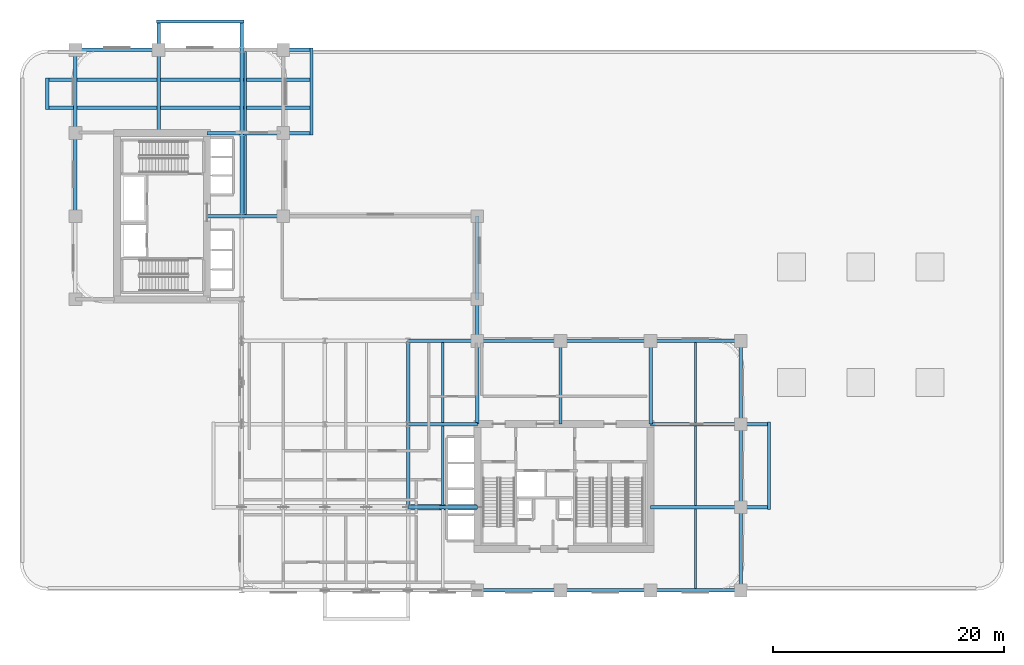
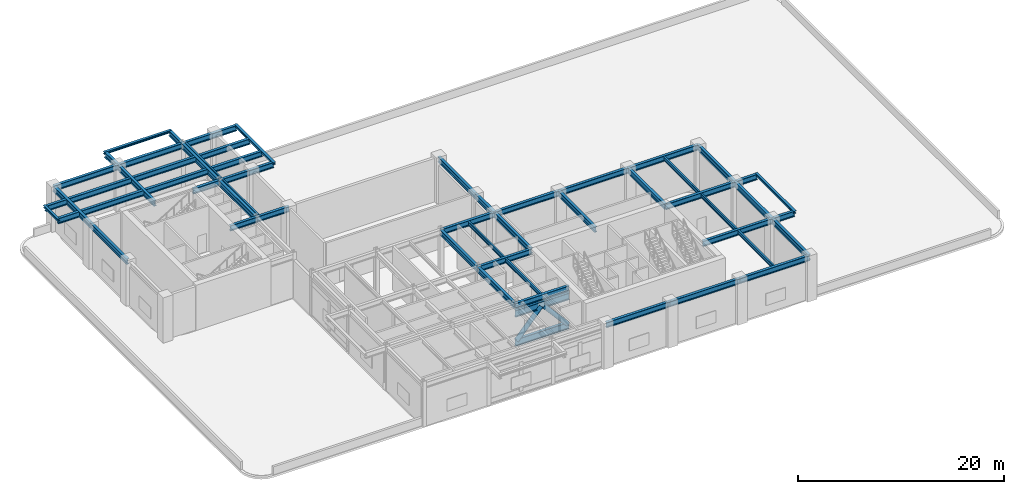
# One storey, part 3 of 14: 43 beams, 4 members.
"""IFC4 building model written with IfcOpenShell, lengths in metres."""

import ifcopenshell
import ifcopenshell.guid

model = None  # the IFC model being written
_history = None  # IfcOwnerHistory: only IFC2X3 demands one
_inside = {}  # id of a spatial element -> (the spatial element, [elements in it])
_under = {}  # id of a project, library or spatial element -> (it, [spatial elements below it])
_declared = {}  # id of a project -> (the project, [libraries it declares])
_typed = {}  # id of a type object -> (the type object, [elements of that type])
_made_of = {}  # id of a material, layer set ... -> (it, [elements and type objects made of it])


def new_model(schema):
    """Start an empty IFC model of exactly this schema.

    Asked for "IFC4X3", IfcOpenShell would pick the latest addendum, in which some entities
    have other attributes; the version numbers below select the first issue.
    IFC2X3 requires an IfcOwnerHistory on every rooted entity: one is made here for all.
    """
    global model, _history
    if schema == "IFC4X3":
        model = ifcopenshell.file(schema_version=(4, 3, 0, 0))
    else:
        model = ifcopenshell.file(schema=schema)
    _inside.clear()
    _under.clear()
    _declared.clear()
    _typed.clear()
    _made_of.clear()
    _history = None
    if model.schema == "IFC2X3":
        org = make("IfcOrganization", Name="unknown")
        user = make(
            "IfcPersonAndOrganization",
            ThePerson=make("IfcPerson", FamilyName="unknown"),
            TheOrganization=org,
        )
        app = make(
            "IfcApplication",
            ApplicationDeveloper=org,
            Version="unknown",
            ApplicationFullName="unknown",
            ApplicationIdentifier="unknown",
        )
        _history = make(
            "IfcOwnerHistory",
            OwningUser=user,
            OwningApplication=app,
            ChangeAction="ADDED",
            CreationDate=0,
        )
    return model


def make(cls, **values):
    """One entity of the class cls with the attributes given. An attribute that is None is left unset."""
    return model.create_entity(
        cls, **{name: value for name, value in values.items() if value is not None}
    )


def rooted(cls, **values):
    """An entity with a GlobalId (a new one), such as an element, a storey or a relation."""
    return make(cls, GlobalId=ifcopenshell.guid.new(), OwnerHistory=_history, **values)


def si_unit(unit_type, name, prefix=None):
    """IfcSIUnit, for example si_unit("LENGTHUNIT", "METRE", prefix="MILLI")."""
    return make("IfcSIUnit", UnitType=unit_type, Prefix=prefix, Name=name)


def derived_unit(unit_type, elements):
    """IfcDerivedUnit: a product of units, each with its exponent."""
    return make(
        "IfcDerivedUnit",
        Elements=[
            make("IfcDerivedUnitElement", Unit=unit, Exponent=power)
            for unit, power in elements
        ],
        UnitType=unit_type,
    )


def assignment(units):
    """IfcUnitAssignment: the units of a project."""
    return None if units is None else make("IfcUnitAssignment", Units=units)


def point(xyz):
    """IfcCartesianPoint."""
    return None if xyz is None else make("IfcCartesianPoint", Coordinates=xyz)


def direction(xyz):
    """IfcDirection."""
    return None if xyz is None else make("IfcDirection", DirectionRatios=xyz)


def frame(location, z_axis=None, x_axis=None):
    """IfcAxis2Placement3D, a coordinate frame: its origin and axes. An axis left out is left unset."""
    return make(
        "IfcAxis2Placement3D",
        Location=point(location),
        Axis=direction(z_axis),
        RefDirection=direction(x_axis),
    )


def frame_2d(location, x_axis=None):
    """IfcAxis2Placement2D, a coordinate frame in the plane: its origin and x axis."""
    return make(
        "IfcAxis2Placement2D", Location=point(location), RefDirection=direction(x_axis)
    )


def origin():
    """The frame at (0, 0, 0) with its axes left unset."""
    return frame((0.0, 0.0, 0.0))


def origin_2d():
    """The frame at (0, 0) in the plane with its x axis left unset."""
    return frame_2d((0.0, 0.0))


def place(relative_to, where):
    """IfcLocalPlacement: puts the frame where relative to a parent placement (None: the world)."""
    return make(
        "IfcLocalPlacement", PlacementRelTo=relative_to, RelativePlacement=where
    )


def context(
    kind, dimensions, precision=None, world=None, true_north=None, identifier=None
):
    """IfcGeometricRepresentationContext, for example the 3D "Model" context."""
    return make(
        "IfcGeometricRepresentationContext",
        ContextIdentifier=identifier,
        ContextType=kind,
        CoordinateSpaceDimension=dimensions,
        Precision=precision,
        WorldCoordinateSystem=world,
        TrueNorth=true_north,
    )


def subcontext(parent, identifier, kind, view, scale=None):
    """IfcGeometricRepresentationSubContext, for example "Body" below "Model"."""
    return make(
        "IfcGeometricRepresentationSubContext",
        ContextIdentifier=identifier,
        ContextType=kind,
        ParentContext=parent,
        TargetScale=scale,
        TargetView=view,
    )


def project(units=None, contexts=None):
    """IfcProject with its units and contexts."""
    return rooted(
        "IfcProject",
        Name="project",
        RepresentationContexts=contexts,
        UnitsInContext=assignment(units),
    )


def spatial(cls, under=None, at=None, **own):
    """A site, building, storey or space (cls), placed at a placement, below another one or the project."""
    s = rooted(cls, ObjectPlacement=at, **own)
    if under is not None:
        _under.setdefault(under.id(), (under, []))[1].append(s)
    return s


def profile(cls, at=None, kind="AREA", **sizes):
    """A parametric profile (cls). Its sizes go by their IFC names, for example OverallWidth=200.0."""
    return make(cls, ProfileType=kind, Position=at, **sizes)


def hollow_circle(**sizes):
    """IfcCircleHollowProfileDef."""
    return profile("IfcCircleHollowProfileDef", **sizes)


def i_section(**sizes):
    """IfcIShapeProfileDef."""
    return profile("IfcIShapeProfileDef", **sizes)


def extrude(swept, where, along, depth):
    """IfcExtrudedAreaSolid: the profile swept, set in the frame where, extruded along a direction by depth."""
    return make(
        "IfcExtrudedAreaSolid",
        SweptArea=swept,
        Position=where,
        ExtrudedDirection=direction(along),
        Depth=depth,
    )


def shape(context_of_items, identifier, shape_type, items):
    """IfcShapeRepresentation: the items that make up one representation, for example the "Body"."""
    return make(
        "IfcShapeRepresentation",
        ContextOfItems=context_of_items,
        RepresentationIdentifier=identifier,
        RepresentationType=shape_type,
        Items=items,
    )


def source(mapping_origin, context_of_items, identifier, shape_type, items):
    """IfcRepresentationMap: a shape defined once, which mapped items show again and again."""
    return make(
        "IfcRepresentationMap",
        MappingOrigin=mapping_origin,
        MappedRepresentation=shape(context_of_items, identifier, shape_type, items),
    )


def transform(
    local_origin,
    x_axis=None,
    y_axis=None,
    z_axis=None,
    scale=None,
    scale2=None,
    scale3=None,
    uniform=True,
):
    """IfcCartesianTransformationOperator3D, or its non-uniform kind. x_axis, y_axis, z_axis: its Axis1, 2, 3."""
    if uniform:
        return make(
            "IfcCartesianTransformationOperator3D",
            Axis1=direction(x_axis),
            Axis2=direction(y_axis),
            LocalOrigin=point(local_origin),
            Scale=scale,
            Axis3=direction(z_axis),
        )
    return make(
        "IfcCartesianTransformationOperator3DnonUniform",
        Axis1=direction(x_axis),
        Axis2=direction(y_axis),
        LocalOrigin=point(local_origin),
        Scale=scale,
        Axis3=direction(z_axis),
        Scale2=scale2,
        Scale3=scale3,
    )


def mapped(mapping_source, mapping_target):
    """IfcMappedItem: shows the shape of a source again, moved by a transform."""
    return make(
        "IfcMappedItem", MappingSource=mapping_source, MappingTarget=mapping_target
    )


def material(Name=None, Category=None):
    """IfcMaterial."""
    return make("IfcMaterial", Name=Name, Category=Category)


def material_profile(
    of_material, cross_section, Name=None, Category=None, Priority=None
):
    """IfcMaterialProfile: a cross section and its material."""
    return make(
        "IfcMaterialProfile",
        Name=Name,
        Material=of_material,
        Profile=cross_section,
        Priority=Priority,
        Category=Category,
    )


def profile_set(profiles, Name=None, composite=None):
    """IfcMaterialProfileSet."""
    return make(
        "IfcMaterialProfileSet",
        Name=Name,
        MaterialProfiles=profiles,
        CompositeProfile=composite,
    )


def made_of(thing, what):
    """Note that an element or type object is made of a material, layer set ...; save() writes the relation."""
    if what is not None:
        _made_of.setdefault(what.id(), (what, []))[1].append(thing)
    return thing


def type_object(cls, material=None, **own):
    """A type object (cls), such as IfcWallType, which elements share."""
    return made_of(rooted(cls, **own), material)


def type_shapes(of_type, sources):
    """Give a type object the sources (RepresentationMaps) that its elements show as mapped items."""
    of_type.RepresentationMaps = sources


def element(
    cls,
    number,
    at=None,
    inside=None,
    cuts=None,
    type_object=None,
    material=None,
    context=None,
    identifier="Body",
    shape_type=None,
    held_by="IfcProductDefinitionShape",
    body=None,
    shapes=None,
    **own,
):
    """One element of the class cls, such as IfcWall. Its Tag is "e" and its number.

    at: its placement. inside: the storey or other place that contains it. cuts: it is an
    opening in that element (IfcRelVoidsElement). A single representation is given by context,
    identifier, shape_type and body (its items); several are given by shapes. held_by: the class
    of the entity that holds the representations. save() writes the other relations.
    """
    e = rooted(cls, Tag="e%d" % number, ObjectPlacement=at, **own)
    if body is not None:
        shapes = [shape(context, identifier, shape_type, body)]
    if shapes is not None:
        e.Representation = make(held_by, Representations=shapes)
    if inside is not None:
        _inside.setdefault(inside.id(), (inside, []))[1].append(e)
    if cuts is not None:
        rooted(
            "IfcRelVoidsElement", RelatingBuildingElement=cuts, RelatedOpeningElement=e
        )
    if type_object is not None:
        _typed.setdefault(type_object.id(), (type_object, []))[1].append(e)
    return made_of(e, material)


def aggregate(whole, parts):
    """IfcRelAggregates: a whole, such as a stair, and the parts it consists of."""
    return rooted("IfcRelAggregates", RelatingObject=whole, RelatedObjects=parts)


def save(model, path):
    """Write the relations noted so far, then the file.

    IfcRelAggregates (storeys below a building ...), IfcRelContainedInSpatialStructure (elements
    in a storey), IfcRelDefinesByType, IfcRelAssociatesMaterial and IfcRelDeclares: one each for
    every whole, place, type object, material and project.
    """
    for whole, parts in _under.values():
        aggregate(whole, parts)
    for where, things in _inside.values():
        rooted(
            "IfcRelContainedInSpatialStructure",
            RelatedElements=things,
            RelatingStructure=where,
        )
    for kind, things in _typed.values():
        rooted("IfcRelDefinesByType", RelatedObjects=things, RelatingType=kind)
    for what, things in _made_of.values():
        rooted("IfcRelAssociatesMaterial", RelatedObjects=things, RelatingMaterial=what)
    for by, libraries in _declared.values():
        rooted("IfcRelDeclares", RelatingContext=by, RelatedDefinitions=libraries)
    model.write(path)


model = new_model("IFC4")

# Units and contexts
model_context = context("Model", 3, precision=1e-05, world=origin(), true_north=direction((0.0, 1.0)))
body_context = subcontext(model_context, "Body", "Model", "MODEL_VIEW")
ifc_project = project(units=[si_unit("LENGTHUNIT", "METRE"), si_unit("AREAUNIT", "SQUARE_METRE"), si_unit("VOLUMEUNIT", "CUBIC_METRE"), si_unit("PLANEANGLEUNIT", "RADIAN"), si_unit("MASSUNIT", "GRAM", prefix="KILO"), si_unit("THERMODYNAMICTEMPERATUREUNIT", "KELVIN"), si_unit("POWERUNIT", "WATT"), derived_unit("THERMALTRANSMITTANCEUNIT", [(si_unit("POWERUNIT", "WATT"), 1), (si_unit("AREAUNIT", "SQUARE_METRE"), -1), (si_unit("THERMODYNAMICTEMPERATUREUNIT", "KELVIN"), -1)])], contexts=[model_context])

# Site, building, storey
site_placement = place(None, origin())
site = spatial("IfcSite", under=ifc_project, at=site_placement, CompositionType="ELEMENT")
building_placement = place(site_placement, origin())
building = spatial("IfcBuilding", under=site, at=building_placement, Name="Zahravan Archway Hotel and Residences", CompositionType="ELEMENT")
storey_placement = place(building_placement, frame((0.0, 0.0, 27.0)))
storey = spatial("IfcBuildingStorey", under=building, at=storey_placement, Name="L05", CompositionType="ELEMENT", Elevation=27.0)

# Beams
ifc_material_1 = material(Name="Structural Steel S355JR", Category="steel")
ifc_material_profile_1 = material_profile(ifc_material_1, i_section(OverallWidth=0.300048828125, OverallDepth=0.64990234375, WebThickness=0.01611328125, FlangeThickness=0.031005859375, FilletRadius=0.027099609375, at=origin_2d()), Name="HEB 650", Category="steel")
ifc_profile_set_1 = profile_set([ifc_material_profile_1], Name="Structural Steel S355JR")
beam_type_1 = type_object("IfcBeamType", Name="BM-PRI-HEB650", PredefinedType="BEAM", material=ifc_profile_set_1)
shared_shape_1 = source(origin(), body_context, "Body", "SweptSolid", [
    extrude(i_section(OverallWidth=0.300048828125, OverallDepth=0.64990234375, WebThickness=0.01611328125, FlangeThickness=0.031005859375, FilletRadius=0.027099609375, at=origin_2d()), origin(), (0.0, 0.0, 1.0), 7.2001953125),
])
type_shapes(beam_type_1, [shared_shape_1])
for number, where, z_axis, x_axis, name in (
    (1, (0.0, 32.39990234375, 4.824951171875), (0.0, 1.0, 0.0), (-1.0, 0.0, 0.0), "L05 Primary Girder NS-29"),
    (2, (14.39990234375, 32.39990234375, 4.824951171875), (0.0, 1.0, 0.0), (-1.0, 0.0, 0.0), "L05 Primary Girder NS-36"),
    (3, (28.800048828125, 14.39990234375, 4.824951171875), (0.0, 1.0, 0.0), (-1.0, 0.0, 0.0), "L05 Primary Girder NS-43"),
    (4, (34.800048828125, 14.39990234375, 4.824951171875), (0.0, 1.0, 0.0), (-1.0, 0.0, 0.0), "L05 Primary Girder NS-44"),
    (5, (42.0, 14.39990234375, 4.824951171875), (0.0, 1.0, 0.0), (-1.0, 0.0, 0.0), "L05 Primary Girder NS-47"),
    (6, (49.800048828125, 14.39990234375, 4.824951171875), (0.0, 1.0, 0.0), (-1.0, 0.0, 0.0), "L05 Primary Girder NS-48"),
    (7, (57.60009765625, 14.39990234375, 4.824951171875), (0.0, 1.0, 0.0), (-1.0, 0.0, 0.0), "L05 Primary Girder NS-51"),
):
    element("IfcBeam", number, at=place(storey_placement, frame(where, z_axis=z_axis, x_axis=x_axis)), inside=storey, type_object=beam_type_1, Name=name, PredefinedType="BEAM", context=body_context, shape_type="MappedRepresentation", body=[
        mapped(shared_shape_1, transform((0.0, 0.0, 0.0), scale=1.0)),
    ])
shared_shape_2 = source(origin(), body_context, "Body", "SweptSolid", [
    extrude(i_section(OverallWidth=0.300048828125, OverallDepth=0.64990234375, WebThickness=0.01611328125, FlangeThickness=0.031005859375, FilletRadius=0.027099609375, at=origin_2d()), origin(), (0.0, 0.0, 1.0), 7.199951171875),
])
for number, where, z_axis, x_axis, name in (
    (8, (34.800048828125, 0.0, 4.824951171875), (1.0, 0.0, 0.0), (0.0, 1.0, 0.0), "L05 Primary Girder EW-04"),
    (9, (34.800048828125, 21.60009765625, 4.824951171875), (1.0, 0.0, 0.0), (0.0, 1.0, 0.0), "L05 Primary Girder EW-18"),
    (10, (0.0, 46.800048828125, 4.824951171875), (1.0, 0.0, 0.0), (0.0, 1.0, 0.0), "L05 Primary Girder EW-24"),
    (11, (0.0, 39.60009765625, 4.824951171875), (0.0, 1.0, 0.0), (-1.0, 0.0, 0.0), "L05 Primary Girder NS-30"),
    (12, (28.800048828125, 7.199951171875, 4.824951171875), (0.0, 1.0, 0.0), (-1.0, 0.0, 0.0), "L05 Primary Girder NS-42"),
    (13, (34.800048828125, 25.199951171875, 4.824951171875), (0.0, 1.0, 0.0), (-1.0, 0.0, 0.0), "L05 Primary Girder NS-46"),
    (14, (57.60009765625, 0.0, 4.824951171875), (0.0, 1.0, 0.0), (-1.0, 0.0, 0.0), "L05 Primary Girder NS-49"),
    (15, (57.60009765625, 7.199951171875, 4.824951171875), (0.0, 1.0, 0.0), (-1.0, 0.0, 0.0), "L05 Primary Girder NS-50"),
):
    element("IfcBeam", number, at=place(storey_placement, frame(where, z_axis=z_axis, x_axis=x_axis)), inside=storey, type_object=beam_type_1, Name=name, PredefinedType="BEAM", context=body_context, shape_type="MappedRepresentation", body=[
        mapped(shared_shape_2, transform((0.0, 0.0, 0.0), scale=1.0)),
    ])
shared_shape_3 = source(origin(), body_context, "Body", "SweptSolid", [
    extrude(i_section(OverallWidth=0.300048828125, OverallDepth=0.64990234375, WebThickness=0.01611328125, FlangeThickness=0.031005859375, FilletRadius=0.027099609375, at=origin_2d()), origin(), (0.0, 0.0, 1.0), 6.0),
])
for number, where, z_axis, x_axis, name in (
    (16, (28.800048828125, 7.199951171875, 4.824951171875), (1.0, 0.0, 0.0), (0.0, 1.0, 0.0), "L05 Primary Girder EW-09"),
    (17, (28.800048828125, 14.39990234375, 4.824951171875), (1.0, 0.0, 0.0), (0.0, 1.0, 0.0), "L05 Primary Girder EW-13"),
    (18, (28.800048828125, 21.60009765625, 4.824951171875), (1.0, 0.0, 0.0), (0.0, 1.0, 0.0), "L05 Primary Girder EW-17"),
):
    element("IfcBeam", number, at=place(storey_placement, frame(where, z_axis=z_axis, x_axis=x_axis)), inside=storey, type_object=beam_type_1, Name=name, PredefinedType="BEAM", context=body_context, shape_type="MappedRepresentation", body=[
        mapped(shared_shape_3, transform((0.0, 0.0, 0.0), scale=1.0)),
    ])
shared_shape_4 = source(origin(), body_context, "Body", "SweptSolid", [
    extrude(i_section(OverallWidth=0.300048828125, OverallDepth=0.64990234375, WebThickness=0.01611328125, FlangeThickness=0.031005859375, FilletRadius=0.027099609375, at=origin_2d()), origin(), (0.0, 0.0, 1.0), 7.800048828125),
])
for number, where, z_axis, x_axis, name in (
    (19, (42.0, 0.0, 4.824951171875), (1.0, 0.0, 0.0), (0.0, 1.0, 0.0), "L05 Primary Girder EW-05"),
    (20, (49.800048828125, 0.0, 4.824951171875), (1.0, 0.0, 0.0), (0.0, 1.0, 0.0), "L05 Primary Girder EW-06"),
    (21, (42.0, 21.60009765625, 4.824951171875), (1.0, 0.0, 0.0), (0.0, 1.0, 0.0), "L05 Primary Girder EW-19"),
    (22, (49.800048828125, 21.60009765625, 4.824951171875), (1.0, 0.0, 0.0), (0.0, 1.0, 0.0), "L05 Primary Girder EW-20"),
):
    element("IfcBeam", number, at=place(storey_placement, frame(where, z_axis=z_axis, x_axis=x_axis)), inside=storey, type_object=beam_type_1, Name=name, PredefinedType="BEAM", context=body_context, shape_type="MappedRepresentation", body=[
        mapped(shared_shape_4, transform((0.0, 0.0, 0.0), scale=1.0)),
    ])
shared_shape_5 = source(origin(), body_context, "Body", "SweptSolid", [
    extrude(i_section(OverallWidth=0.300048828125, OverallDepth=0.64990234375, WebThickness=0.01611328125, FlangeThickness=0.031005859375, FilletRadius=0.027099609375, at=origin_2d()), origin(), (0.0, 0.0, 1.0), 10.25),
])
for number, where, z_axis, x_axis, name in (
    (23, (49.800048828125, 7.199951171875, 4.824951171875), (1.0, 0.0, 0.0), (0.0, 1.0, 0.0), "L05 Primary Girder EW-10"),
    (24, (49.800048828125, 14.39990234375, 4.824951171875), (1.0, 0.0, 0.0), (0.0, 1.0, 0.0), "L05 Primary Girder EW-14"),
):
    element("IfcBeam", number, at=place(storey_placement, frame(where, z_axis=z_axis, x_axis=x_axis)), inside=storey, type_object=beam_type_1, Name=name, PredefinedType="BEAM", context=body_context, shape_type="MappedRepresentation", body=[
        mapped(shared_shape_5, transform((0.0, 0.0, 0.0), scale=1.0)),
    ])
shared_shape_6 = source(origin(), body_context, "Body", "SweptSolid", [
    extrude(i_section(OverallWidth=0.300048828125, OverallDepth=0.64990234375, WebThickness=0.01611328125, FlangeThickness=0.031005859375, FilletRadius=0.027099609375, at=origin_2d()), origin(), (0.0, 0.0, 1.0), 6.60009765625),
])
beam_1_placement = place(storey_placement, frame((11.39990234375, 32.39990234375, 4.824951171875), z_axis=(1.0, 0.0, 0.0), x_axis=(0.0, 1.0, 0.0)))
element("IfcBeam", 25, at=beam_1_placement, inside=storey, type_object=beam_type_1, Name="L05 Primary Girder EW-22", PredefinedType="BEAM", context=body_context, shape_type="MappedRepresentation", body=[
    mapped(shared_shape_6, transform((0.0, 0.0, 0.0), scale=1.0)),
])
shared_shape_7 = source(origin(), body_context, "Body", "SweptSolid", [
    extrude(i_section(OverallWidth=0.300048828125, OverallDepth=0.64990234375, WebThickness=0.01611328125, FlangeThickness=0.031005859375, FilletRadius=0.027099609375, at=origin_2d()), origin(), (0.0, 0.0, 1.0), 9.050048828125),
])
beam_2_placement = place(storey_placement, frame((11.39990234375, 39.60009765625, 4.824951171875), z_axis=(1.0, 0.0, 0.0), x_axis=(0.0, 1.0, 0.0)))
element("IfcBeam", 26, at=beam_2_placement, inside=storey, type_object=beam_type_1, Name="L05 Primary Girder EW-23", PredefinedType="BEAM", context=body_context, shape_type="MappedRepresentation", body=[
    mapped(shared_shape_7, transform((0.0, 0.0, 0.0), scale=1.0)),
])
shared_shape_8 = source(origin(), body_context, "Body", "SweptSolid", [
    extrude(i_section(OverallWidth=0.300048828125, OverallDepth=0.64990234375, WebThickness=0.01611328125, FlangeThickness=0.031005859375, FilletRadius=0.027099609375, at=origin_2d()), origin(), (0.0, 0.0, 1.0), 13.25),
])
beam_3_placement = place(storey_placement, frame((7.199951171875, 46.800048828125, 4.824951171875), z_axis=(1.0, 0.0, 0.0), x_axis=(0.0, 1.0, 0.0)))
element("IfcBeam", 27, at=beam_3_placement, inside=storey, type_object=beam_type_1, Name="L05 Primary Girder EW-25", PredefinedType="BEAM", context=body_context, shape_type="MappedRepresentation", body=[
    mapped(shared_shape_8, transform((0.0, 0.0, 0.0), scale=1.0)),
])
shared_shape_9 = source(origin(), body_context, "Body", "SweptSolid", [
    extrude(i_section(OverallWidth=0.300048828125, OverallDepth=0.64990234375, WebThickness=0.01611328125, FlangeThickness=0.031005859375, FilletRadius=0.027099609375, at=origin_2d()), origin(), (0.0, 0.0, 1.0), 22.89990234375),
])
for number, where, z_axis, x_axis, name in (
    (28, (-2.449951171875, 41.800048828125, 4.824951171875), (1.0, 0.0, 0.0), (0.0, 1.0, 0.0), "L05 Primary Girder EW-26"),
    (29, (-2.449951171875, 44.199951171875, 4.824951171875), (1.0, 0.0, 0.0), (0.0, 1.0, 0.0), "L05 Primary Girder EW-27"),
):
    element("IfcBeam", number, at=place(storey_placement, frame(where, z_axis=z_axis, x_axis=x_axis)), inside=storey, type_object=beam_type_1, Name=name, PredefinedType="BEAM", context=body_context, shape_type="MappedRepresentation", body=[
        mapped(shared_shape_9, transform((0.0, 0.0, 0.0), scale=1.0)),
    ])
ifc_material_profile_2 = material_profile(ifc_material_1, i_section(OverallWidth=0.280029296875, OverallDepth=0.280029296875, WebThickness=0.010498046875, FlangeThickness=0.01806640625, FilletRadius=0.02392578125, at=origin_2d()), Name="HEB 280", Category="steel")
ifc_profile_set_2 = profile_set([ifc_material_profile_2], Name="Structural Steel S355JR")
beam_type_2 = type_object("IfcBeamType", Name="BM-SPN-HEB280", PredefinedType="SPANDREL", material=ifc_profile_set_2)
shared_shape_10 = source(origin(), body_context, "Body", "SweptSolid", [
    extrude(i_section(OverallWidth=0.280029296875, OverallDepth=0.280029296875, WebThickness=0.010498046875, FlangeThickness=0.01806640625, FilletRadius=0.02392578125, at=origin_2d()), origin(), (0.0, 0.0, 1.0), 7.56005859375),
])
type_shapes(beam_type_2, [shared_shape_10])
for number, where, z_axis, x_axis, name in (
    (30, (60.050048828125, 7.02001953125, 5.010009765625), (0.0, 1.0, 0.0), (-1.0, 0.0, 0.0), "L06 EA Balcony Edge Spandrel"),
    (31, (20.449951171875, 39.419921875, 5.010009765625), (0.0, 1.0, 0.0), (-1.0, 0.0, 0.0), "L06 EB Balcony Edge Spandrel"),
    (32, (7.02001953125, 49.25, 5.010009765625), (1.0, 0.0, 0.0), (0.0, 1.0, 0.0), "L06 NB Balcony Edge Spandrel"),
):
    element("IfcBeam", number, at=place(storey_placement, frame(where, z_axis=z_axis, x_axis=x_axis)), inside=storey, type_object=beam_type_2, Name=name, PredefinedType="SPANDREL", context=body_context, shape_type="MappedRepresentation", body=[
        mapped(shared_shape_10, transform((0.0, 0.0, 0.0), scale=1.0)),
    ])
shared_shape_11 = source(origin(), body_context, "Body", "SweptSolid", [
    extrude(i_section(OverallWidth=0.280029296875, OverallDepth=0.280029296875, WebThickness=0.010498046875, FlangeThickness=0.01806640625, FilletRadius=0.02392578125, at=origin_2d()), origin(), (0.0, 0.0, 1.0), 2.759765625),
])
beam_4_placement = place(storey_placement, frame((-2.449951171875, 41.6201171875, 5.010009765625), z_axis=(0.0, 1.0, 0.0), x_axis=(-1.0, 0.0, 0.0)))
element("IfcBeam", 33, at=beam_4_placement, inside=storey, type_object=beam_type_2, Name="L06 WB Balcony Edge Spandrel", PredefinedType="SPANDREL", context=body_context, shape_type="MappedRepresentation", body=[
    mapped(shared_shape_11, transform((0.0, 0.0, 0.0), scale=1.0)),
])
shared_shape_12 = source(origin(), body_context, "Body", "SweptSolid", [
    extrude(i_section(OverallWidth=0.300048828125, OverallDepth=0.64990234375, WebThickness=0.01611328125, FlangeThickness=0.031005859375, FilletRadius=0.027099609375, at=origin_2d()), origin(), (0.0, 0.0, 1.0), 9.64990234375),
])
for number, where, z_axis, x_axis, name in (
    (34, (7.199951171875, 39.60009765625, 4.824951171875), (0.0, 1.0, 0.0), (-1.0, 0.0, 0.0), "L05 Primary Girder NS-31"),
    (35, (14.39990234375, 39.60009765625, 4.824951171875), (0.0, 1.0, 0.0), (-1.0, 0.0, 0.0), "L05 Primary Girder NS-37"),
):
    element("IfcBeam", number, at=place(storey_placement, frame(where, z_axis=z_axis, x_axis=x_axis)), inside=storey, type_object=beam_type_1, Name=name, PredefinedType="BEAM", context=body_context, shape_type="MappedRepresentation", body=[
        mapped(shared_shape_12, transform((0.0, 0.0, 0.0), scale=1.0)),
    ])
shared_shape_13 = source(origin(), body_context, "Body", "SweptSolid", [
    extrude(i_section(OverallWidth=0.300048828125, OverallDepth=0.64990234375, WebThickness=0.01611328125, FlangeThickness=0.031005859375, FilletRadius=0.027099609375, at=origin_2d()), origin(), (0.0, 0.0, 1.0), 3.599853515625),
])
beam_5_placement = place(storey_placement, frame((34.800048828125, 21.60009765625, 4.824951171875), z_axis=(0.0, 1.0, 0.0), x_axis=(-1.0, 0.0, 0.0)))
element("IfcBeam", 36, at=beam_5_placement, inside=storey, type_object=beam_type_1, Name="L05 Primary Girder NS-45", PredefinedType="BEAM", context=body_context, shape_type="MappedRepresentation", body=[
    mapped(shared_shape_13, transform((0.0, 0.0, 0.0), scale=1.0)),
])
ifc_material_profile_3 = material_profile(ifc_material_1, i_section(OverallWidth=0.18994140625, OverallDepth=0.449951171875, WebThickness=0.009521484375, FlangeThickness=0.0146484375, FilletRadius=0.02099609375, at=origin_2d()), Name="IPE 450", Category="steel")
ifc_profile_set_3 = profile_set([ifc_material_profile_3], Name="Structural Steel S355JR")
beam_type_3 = type_object("IfcBeamType", Name="BM-JST-IPE450", PredefinedType="JOIST", material=ifc_profile_set_3)
shared_shape_14 = source(origin(), body_context, "Body", "SweptSolid", [
    extrude(i_section(OverallWidth=0.18994140625, OverallDepth=0.449951171875, WebThickness=0.009521484375, FlangeThickness=0.0146484375, FilletRadius=0.02099609375, at=origin_2d()), origin(), (0.0, 0.0, 1.0), 6.904052734375),
])
type_shapes(beam_type_3, [shared_shape_14])
for number, where, z_axis, x_axis, name in (
    (37, (53.699951171875, 0.14794921875, 4.925048828125), (0.0, 1.0, 0.0), (-1.0, 0.0, 0.0), "L05 Composite Floor Joist 04"),
    (38, (31.800048828125, 7.347900390625, 4.925048828125), (0.0, 1.0, 0.0), (-1.0, 0.0, 0.0), "L05 Composite Floor Joist 07"),
    (39, (53.699951171875, 7.347900390625, 4.925048828125), (0.0, 1.0, 0.0), (-1.0, 0.0, 0.0), "L05 Composite Floor Joist 08"),
    (40, (14.699951171875, 39.748046875, 4.925048828125), (0.0, 1.0, 0.0), (-1.0, 0.0, 0.0), "L05 Composite Floor Joist 14"),
):
    element("IfcBeam", number, at=place(storey_placement, frame(where, z_axis=z_axis, x_axis=x_axis)), inside=storey, type_object=beam_type_3, Name=name, PredefinedType="JOIST", context=body_context, shape_type="MappedRepresentation", body=[
        mapped(shared_shape_14, transform((0.0, 0.0, 0.0), scale=1.0)),
    ])
shared_shape_15 = source(origin(), body_context, "Body", "SweptSolid", [
    extrude(i_section(OverallWidth=0.18994140625, OverallDepth=0.449951171875, WebThickness=0.009521484375, FlangeThickness=0.0146484375, FilletRadius=0.02099609375, at=origin_2d()), origin(), (0.0, 0.0, 1.0), 6.90380859375),
])
for number, where, z_axis, x_axis, name in (
    (41, (31.800048828125, 14.548095703125, 4.925048828125), (0.0, 1.0, 0.0), (-1.0, 0.0, 0.0), "L05 Composite Floor Joist 11"),
    (42, (53.699951171875, 14.548095703125, 4.925048828125), (0.0, 1.0, 0.0), (-1.0, 0.0, 0.0), "L05 Composite Floor Joist 12"),
    (43, (14.699951171875, 32.548095703125, 4.925048828125), (0.0, 1.0, 0.0), (-1.0, 0.0, 0.0), "L05 Composite Floor Joist 13"),
):
    element("IfcBeam", number, at=place(storey_placement, frame(where, z_axis=z_axis, x_axis=x_axis)), inside=storey, type_object=beam_type_3, Name=name, PredefinedType="JOIST", context=body_context, shape_type="MappedRepresentation", body=[
        mapped(shared_shape_15, transform((0.0, 0.0, 0.0), scale=1.0)),
    ])

# Members
ifc_material_2 = material(Name="Structural Steel S460M", Category="steel")
ifc_material_profile_4 = material_profile(ifc_material_2, i_section(OverallWidth=0.302978515625, OverallDepth=0.81396484375, WebThickness=0.02099609375, FlangeThickness=0.0400390625, FilletRadius=0.030029296875, at=origin_2d()), Name="HEM 800", Category="steel")
ifc_profile_set_4 = profile_set([ifc_material_profile_4], Name="Structural Steel S460M")
member_type_1 = type_object("IfcMemberType", Name="MEM-CHD-HEM800", PredefinedType="CHORD", material=ifc_profile_set_4)
shared_shape_16 = source(origin(), body_context, "Body", "SweptSolid", [
    extrude(i_section(OverallWidth=0.302978515625, OverallDepth=0.81396484375, WebThickness=0.02099609375, FlangeThickness=0.0400390625, FilletRadius=0.030029296875, at=origin_2d()), origin(), (0.0, 0.0, 1.0), 6.0),
])
for number, where, z_axis, x_axis, name in (
    (44, (28.800048828125, 7.199951171875, 3.89990234375), (1.0, 0.0, 0.0), (0.0, 1.0, 0.0), "L05 Outrigger OT1 Top Chord 3"),
    (45, (28.800048828125, 7.199951171875, 0.449951171875), (1.0, 0.0, 0.0), (0.0, 1.0, 0.0), "L05 Outrigger OT1 Bottom Chord 3"),
):
    element("IfcMember", number, at=place(storey_placement, frame(where, z_axis=z_axis, x_axis=x_axis)), inside=storey, type_object=member_type_1, Name=name, PredefinedType="CHORD", context=body_context, shape_type="MappedRepresentation", body=[
        mapped(shared_shape_16, transform((0.0, 0.0, 0.0), scale=1.0)),
    ])
ifc_material_profile_5 = material_profile(ifc_material_2, hollow_circle(Radius=0.25390625, WallThickness=0.02490234375, at=origin_2d()), Name="CHS 508x25", Category="steel")
ifc_profile_set_5 = profile_set([ifc_material_profile_5], Name="Structural Steel S460M")
member_type_2 = type_object("IfcMemberType", Name="MEM-DIAG-CHS508", PredefinedType="BRACE", material=ifc_profile_set_5)
shared_shape_17 = source(origin(), body_context, "Body", "SweptSolid", [
    extrude(hollow_circle(Radius=0.25390625, WallThickness=0.02490234375, at=origin_2d()), origin(), (0.0, 0.0, 1.0), 4.171875),
])
for number, where, z_axis, x_axis, name in (
    (46, (28.95751953125, 7.199951171875, 0.631103515625), (0.656177266113, 0.0, 0.754606781997), (0.0, 1.0, 0.0), "L05 Outrigger OT1 Chevron Left 3"),
    (47, (31.905029296875, 7.199951171875, 3.779296875), (0.656177266113, 0.0, -0.754606781997), (0.0, 1.0, 0.0), "L05 Outrigger OT1 Chevron Right 3"),
):
    element("IfcMember", number, at=place(storey_placement, frame(where, z_axis=z_axis, x_axis=x_axis)), inside=storey, type_object=member_type_2, Name=name, PredefinedType="BRACE", context=body_context, shape_type="MappedRepresentation", body=[
        mapped(shared_shape_17, transform((0.0, 0.0, 0.0), scale=1.0)),
    ])

save(model, "model.ifc")
